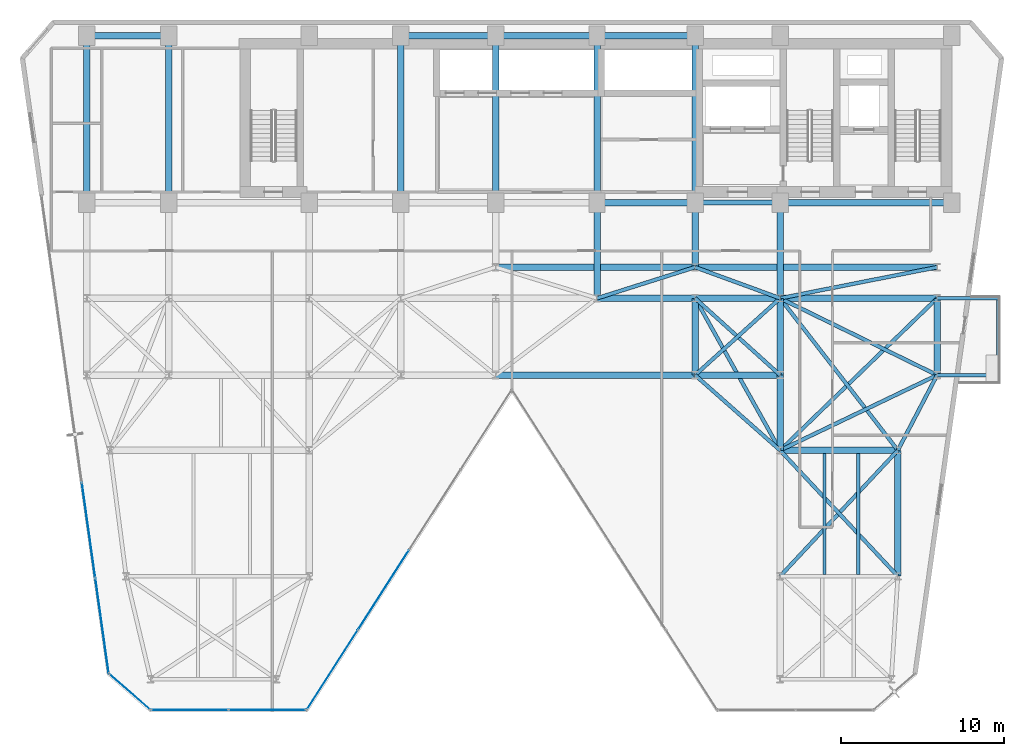
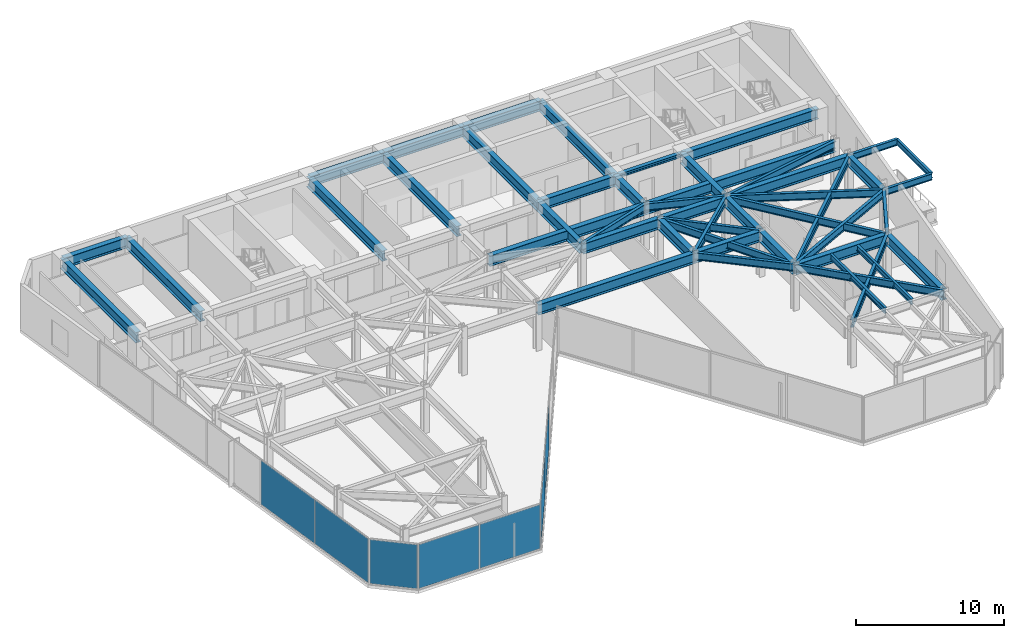
# One storey, part 20 of 26: 48 beams, 7 plates, 4 elements without a shape of their own.
"""IFC4 building model written with IfcOpenShell, lengths in metres."""

from ifc_helpers import new_model, si_unit, direction, frame, origin, origin_2d, place, context, subcontext, project, spatial, rectangle, i_section, extrude, material, layer, layer_set, material_profile, profile_set, type_object, element, aggregate, save


model = new_model("IFC4")

# Units and contexts
model_context = context("Model", 3, precision=1e-05, world=origin(), true_north=direction((0.0, 1.0)))
body_context = subcontext(model_context, "Body", "Model", "MODEL_VIEW")
ifc_project = project(units=[si_unit("LENGTHUNIT", "METRE"), si_unit("AREAUNIT", "SQUARE_METRE"), si_unit("VOLUMEUNIT", "CUBIC_METRE"), si_unit("PLANEANGLEUNIT", "RADIAN"), si_unit("MASSUNIT", "GRAM", prefix="KILO")], contexts=[model_context])

# Site, building, storey
site_placement = place(None, origin())
site = spatial("IfcSite", under=ifc_project, at=site_placement, CompositionType="ELEMENT")
building_placement = place(site_placement, origin())
building = spatial("IfcBuilding", under=site, at=building_placement, Name="Kravanh Interchange Tower", CompositionType="ELEMENT")
storey_placement = place(building_placement, frame((0.0, 0.0, 108.0)))
storey = spatial("IfcBuildingStorey", under=building, at=storey_placement, Name="L25", CompositionType="ELEMENT", Elevation=108.0)

# Beams
ifc_material_1 = material(Name="Structural Steel S355", Category="steel")
ifc_material_profile_1 = material_profile(ifc_material_1, i_section(OverallWidth=0.39990234375, OverallDepth=0.85595703125, WebThickness=0.018310546875, FlangeThickness=0.029296875, FilletRadius=0.02490234375, at=origin_2d()), Name="W33X201")
ifc_profile_set_1 = profile_set([ifc_material_profile_1], Name="Structural Steel S355")
beam_type_1 = type_object("IfcBeamType", Name="Floor Beam W33X201 Structural Steel S355", PredefinedType="BEAM", material=ifc_profile_set_1)
beam_1_placement = place(storey_placement, frame((66.5, 37.35009765625, 3.322021484375), z_axis=(-1.0, 0.0, 0.0), x_axis=(0.0, -1.0, 0.0)))
element("IfcBeam", 1, at=beam_1_placement, inside=storey, type_object=beam_type_1, Name="L25 Primary Floor Girder 5", PredefinedType="BEAM", context=body_context, shape_type="SweptSolid", body=[
    extrude(i_section(OverallWidth=0.39990234375, OverallDepth=0.85595703125, WebThickness=0.018310546875, FlangeThickness=0.029296875, FilletRadius=0.02490234375, at=origin_2d()), origin(), (0.0, 0.0, 1.0), 10.5),
])
beam_2_placement = place(storey_placement, frame((56.0, 37.35009765625, 3.322021484375), z_axis=(0.0, -1.0, 0.0), x_axis=(1.0, 0.0, 0.0)))
element("IfcBeam", 2, at=beam_2_placement, inside=storey, type_object=beam_type_1, Name="L25 Primary Floor Girder 7", PredefinedType="BEAM", context=body_context, shape_type="SweptSolid", body=[
    extrude(i_section(OverallWidth=0.39990234375, OverallDepth=0.85595703125, WebThickness=0.018310546875, FlangeThickness=0.029296875, FilletRadius=0.02490234375, at=origin_2d()), origin(), (0.0, 0.0, 1.0), 5.85009765625),
])
beam_3_placement = place(storey_placement, frame((50.800048828125, 47.550048828125, 3.322021484375), z_axis=(-1.0, 0.0, 0.0), x_axis=(0.0, -1.0, 0.0)))
element("IfcBeam", 3, at=beam_3_placement, inside=storey, type_object=beam_type_1, Name="L25 Primary Floor Girder 8", PredefinedType="BEAM", context=body_context, shape_type="SweptSolid", body=[
    extrude(i_section(OverallWidth=0.39990234375, OverallDepth=0.85595703125, WebThickness=0.018310546875, FlangeThickness=0.029296875, FilletRadius=0.02490234375, at=origin_2d()), origin(), (0.0, 0.0, 1.0), 6.0),
])
beam_4_placement = place(storey_placement, frame((50.800048828125, 47.550048828125, 3.322021484375), z_axis=(0.0, -1.0, 0.0), x_axis=(1.0, 0.0, 0.0)))
element("IfcBeam", 4, at=beam_4_placement, inside=storey, type_object=beam_type_1, Name="L25 Primary Floor Girder 9", PredefinedType="BEAM", context=body_context, shape_type="SweptSolid", body=[
    extrude(i_section(OverallWidth=0.39990234375, OverallDepth=0.85595703125, WebThickness=0.018310546875, FlangeThickness=0.029296875, FilletRadius=0.02490234375, at=origin_2d()), origin(), (0.0, 0.0, 1.0), 10.199951171875),
])
beam_5_placement = place(storey_placement, frame((50.800048828125, 37.35009765625, 3.322021484375), z_axis=(0.0, -1.0, 0.0), x_axis=(1.0, 0.0, 0.0)))
element("IfcBeam", 5, at=beam_5_placement, inside=storey, type_object=beam_type_1, Name="L25 Primary Floor Girder 10", PredefinedType="BEAM", context=body_context, shape_type="SweptSolid", body=[
    extrude(i_section(OverallWidth=0.39990234375, OverallDepth=0.85595703125, WebThickness=0.018310546875, FlangeThickness=0.029296875, FilletRadius=0.02490234375, at=origin_2d()), origin(), (0.0, 0.0, 1.0), 3.9501953125),
])
beam_6_placement = place(storey_placement, frame((50.800048828125, 37.35009765625, 3.322021484375), z_axis=(-1.0, 0.0, 0.0), x_axis=(0.0, -1.0, 0.0)))
element("IfcBeam", 6, at=beam_6_placement, inside=storey, type_object=beam_type_1, Name="L25 Primary Floor Girder 11", PredefinedType="BEAM", context=body_context, shape_type="SweptSolid", body=[
    extrude(i_section(OverallWidth=0.39990234375, OverallDepth=0.85595703125, WebThickness=0.018310546875, FlangeThickness=0.029296875, FilletRadius=0.02490234375, at=origin_2d()), origin(), (0.0, 0.0, 1.0), 6.0),
])
beam_7_placement = place(storey_placement, frame((44.800048828125, 37.35009765625, 3.322021484375), z_axis=(0.0, -1.0, 0.0), x_axis=(1.0, 0.0, 0.0)))
element("IfcBeam", 7, at=beam_7_placement, inside=storey, type_object=beam_type_1, Name="L25 Primary Floor Girder 12", PredefinedType="BEAM", context=body_context, shape_type="SweptSolid", body=[
    extrude(i_section(OverallWidth=0.39990234375, OverallDepth=0.85595703125, WebThickness=0.018310546875, FlangeThickness=0.029296875, FilletRadius=0.02490234375, at=origin_2d()), origin(), (0.0, 0.0, 1.0), 5.85009765625),
])
beam_8_placement = place(storey_placement, frame((44.800048828125, 37.35009765625, 3.322021484375), z_axis=(0.0, 1.0, 0.0), x_axis=(-1.0, 0.0, 0.0)))
element("IfcBeam", 8, at=beam_8_placement, inside=storey, type_object=beam_type_1, Name="L25 Primary Floor Girder 14", PredefinedType="BEAM", context=body_context, shape_type="SweptSolid", body=[
    extrude(i_section(OverallWidth=0.39990234375, OverallDepth=0.85595703125, WebThickness=0.018310546875, FlangeThickness=0.029296875, FilletRadius=0.02490234375, at=origin_2d()), origin(), (0.0, 0.0, 1.0), 10.199951171875),
])
beam_9_placement = place(storey_placement, frame((44.800048828125, 47.550048828125, 3.322021484375), z_axis=(-1.0, 0.0, 0.0), x_axis=(0.0, -1.0, 0.0)))
element("IfcBeam", 9, at=beam_9_placement, inside=storey, type_object=beam_type_1, Name="L25 Primary Floor Girder 15", PredefinedType="BEAM", context=body_context, shape_type="SweptSolid", body=[
    extrude(i_section(OverallWidth=0.39990234375, OverallDepth=0.85595703125, WebThickness=0.018310546875, FlangeThickness=0.029296875, FilletRadius=0.02490234375, at=origin_2d()), origin(), (0.0, 0.0, 1.0), 6.199951171875),
])
beam_10_placement = place(storey_placement, frame((38.60009765625, 37.35009765625, 3.322021484375), z_axis=(0.0, 1.0, 0.0), x_axis=(-1.0, 0.0, 0.0)))
element("IfcBeam", 10, at=beam_10_placement, inside=storey, type_object=beam_type_1, Name="L25 Primary Floor Girder 18", PredefinedType="BEAM", context=body_context, shape_type="SweptSolid", body=[
    extrude(i_section(OverallWidth=0.39990234375, OverallDepth=0.85595703125, WebThickness=0.018310546875, FlangeThickness=0.029296875, FilletRadius=0.02490234375, at=origin_2d()), origin(), (0.0, 0.0, 1.0), 10.199951171875),
])
beam_11_placement = place(storey_placement, frame((38.60009765625, 47.550048828125, 3.322021484375), z_axis=(-1.0, 0.0, 0.0), x_axis=(0.0, -1.0, 0.0)))
element("IfcBeam", 11, at=beam_11_placement, inside=storey, type_object=beam_type_1, Name="L25 Primary Floor Girder 19", PredefinedType="BEAM", context=body_context, shape_type="SweptSolid", body=[
    extrude(i_section(OverallWidth=0.39990234375, OverallDepth=0.85595703125, WebThickness=0.018310546875, FlangeThickness=0.029296875, FilletRadius=0.02490234375, at=origin_2d()), origin(), (0.0, 0.0, 1.0), 5.800048828125),
])
for number, where, z_axis, x_axis, name in (
    (12, (32.800048828125, 37.35009765625, 3.322021484375), (0.0, 1.0, 0.0), (-1.0, 0.0, 0.0), "L25 Primary Floor Girder 22"),
    (13, (18.60009765625, 37.35009765625, 3.322021484375), (0.0, 1.0, 0.0), (-1.0, 0.0, 0.0), "L25 Primary Floor Girder 30"),
):
    element("IfcBeam", number, at=place(storey_placement, frame(where, z_axis=z_axis, x_axis=x_axis)), inside=storey, type_object=beam_type_1, Name=name, PredefinedType="BEAM", context=body_context, shape_type="SweptSolid", body=[
        extrude(i_section(OverallWidth=0.39990234375, OverallDepth=0.85595703125, WebThickness=0.018310546875, FlangeThickness=0.029296875, FilletRadius=0.02490234375, at=origin_2d()), origin(), (0.0, 0.0, 1.0), 10.199951171875),
    ])
beam_12_placement = place(storey_placement, frame((18.60009765625, 47.550048828125, 3.322021484375), z_axis=(-1.0, 0.0, 0.0), x_axis=(0.0, -1.0, 0.0)))
element("IfcBeam", 14, at=beam_12_placement, inside=storey, type_object=beam_type_1, Name="L25 Primary Floor Girder 31", PredefinedType="BEAM", context=body_context, shape_type="SweptSolid", body=[
    extrude(i_section(OverallWidth=0.39990234375, OverallDepth=0.85595703125, WebThickness=0.018310546875, FlangeThickness=0.029296875, FilletRadius=0.02490234375, at=origin_2d()), origin(), (0.0, 0.0, 1.0), 5.0),
])
beam_13_placement = place(storey_placement, frame((13.60009765625, 37.35009765625, 3.322021484375), z_axis=(0.0, 1.0, 0.0), x_axis=(-1.0, 0.0, 0.0)))
element("IfcBeam", 15, at=beam_13_placement, inside=storey, type_object=beam_type_1, Name="L25 Primary Floor Girder 33", PredefinedType="BEAM", context=body_context, shape_type="SweptSolid", body=[
    extrude(i_section(OverallWidth=0.39990234375, OverallDepth=0.85595703125, WebThickness=0.018310546875, FlangeThickness=0.029296875, FilletRadius=0.02490234375, at=origin_2d()), origin(), (0.0, 0.0, 1.0), 10.199951171875),
])
beam_14_placement = place(storey_placement, frame((38.60009765625, 26.800048828125, 3.322021484375), z_axis=(1.0, 0.0, 0.0), x_axis=(0.0, 1.0, 0.0)))
element("IfcBeam", 16, at=beam_14_placement, inside=storey, type_object=beam_type_1, Name="L25 Primary Floor Girder 56", PredefinedType="BEAM", context=body_context, shape_type="SweptSolid", body=[
    extrude(i_section(OverallWidth=0.39990234375, OverallDepth=0.85595703125, WebThickness=0.018310546875, FlangeThickness=0.029296875, FilletRadius=0.02490234375, at=origin_2d()), origin(), (0.0, 0.0, 1.0), 12.199951171875),
])
beam_15_placement = place(storey_placement, frame((50.800048828125, 26.800048828125, 3.322021484375), z_axis=(0.0, 1.0, 0.0), x_axis=(-1.0, 0.0, 0.0)))
element("IfcBeam", 17, at=beam_15_placement, inside=storey, type_object=beam_type_1, Name="L25 Primary Floor Girder 57", PredefinedType="BEAM", context=body_context, shape_type="SweptSolid", body=[
    extrude(i_section(OverallWidth=0.39990234375, OverallDepth=0.85595703125, WebThickness=0.018310546875, FlangeThickness=0.029296875, FilletRadius=0.02490234375, at=origin_2d()), origin(), (0.0, 0.0, 1.0), 4.699951171875),
])
beam_16_placement = place(storey_placement, frame((50.800048828125, 26.800048828125, 3.322021484375), z_axis=(1.0, 0.0, 0.0), x_axis=(0.0, 1.0, 0.0)))
element("IfcBeam", 18, at=beam_16_placement, inside=storey, type_object=beam_type_1, Name="L25 Primary Floor Girder 58", PredefinedType="BEAM", context=body_context, shape_type="SweptSolid", body=[
    extrude(i_section(OverallWidth=0.39990234375, OverallDepth=0.85595703125, WebThickness=0.018310546875, FlangeThickness=0.029296875, FilletRadius=0.02490234375, at=origin_2d()), origin(), (0.0, 0.0, 1.0), 5.199951171875),
])
beam_17_placement = place(storey_placement, frame((56.0, 26.800048828125, 3.322021484375), z_axis=(0.0, -1.0, 0.0), x_axis=(1.0, 0.0, 0.0)))
element("IfcBeam", 19, at=beam_17_placement, inside=storey, type_object=beam_type_1, Name="L25 Primary Floor Girder 61", PredefinedType="BEAM", context=body_context, shape_type="SweptSolid", body=[
    extrude(i_section(OverallWidth=0.39990234375, OverallDepth=0.85595703125, WebThickness=0.018310546875, FlangeThickness=0.029296875, FilletRadius=0.02490234375, at=origin_2d()), origin(), (0.0, 0.0, 1.0), 4.60009765625),
])
for number, where, z_axis, x_axis, name in (
    (20, (56.0, 26.800048828125, 3.322021484375), (0.0, 1.0, 0.0), (-1.0, 0.0, 0.0), "L25 Primary Floor Girder 62"),
    (21, (65.60009765625, 26.800048828125, 3.322021484375), (0.0, 1.0, 0.0), (-1.0, 0.0, 0.0), "L25 Primary Floor Girder 65"),
):
    element("IfcBeam", number, at=place(storey_placement, frame(where, z_axis=z_axis, x_axis=x_axis)), inside=storey, type_object=beam_type_1, Name=name, PredefinedType="BEAM", context=body_context, shape_type="SweptSolid", body=[
        extrude(i_section(OverallWidth=0.39990234375, OverallDepth=0.85595703125, WebThickness=0.018310546875, FlangeThickness=0.029296875, FilletRadius=0.02490234375, at=origin_2d()), origin(), (0.0, 0.0, 1.0), 4.699951171875),
    ])
beam_18_placement = place(storey_placement, frame((44.800048828125, 31.5, 3.322021484375), z_axis=(1.0, 0.0, 0.0), x_axis=(0.0, 1.0, 0.0)))
element("IfcBeam", 22, at=beam_18_placement, inside=storey, type_object=beam_type_1, Name="L25 Primary Floor Girder 83", PredefinedType="BEAM", context=body_context, shape_type="SweptSolid", body=[
    extrude(i_section(OverallWidth=0.39990234375, OverallDepth=0.85595703125, WebThickness=0.018310546875, FlangeThickness=0.029296875, FilletRadius=0.02490234375, at=origin_2d()), origin(), (0.0, 0.0, 1.0), 6.0),
])
beam_19_placement = place(storey_placement, frame((50.800048828125, 31.5, 3.322021484375), z_axis=(1.0, 0.0, 0.0), x_axis=(0.0, 1.0, 0.0)))
element("IfcBeam", 23, at=beam_19_placement, inside=storey, type_object=beam_type_1, Name="L25 Primary Floor Girder 86", PredefinedType="BEAM", context=body_context, shape_type="SweptSolid", body=[
    extrude(i_section(OverallWidth=0.39990234375, OverallDepth=0.85595703125, WebThickness=0.018310546875, FlangeThickness=0.029296875, FilletRadius=0.02490234375, at=origin_2d()), origin(), (0.0, 0.0, 1.0), 5.199951171875),
])
beam_20_placement = place(storey_placement, frame((56.0, 31.5, 3.322021484375), z_axis=(1.0, 0.0, 0.0), x_axis=(0.0, 1.0, 0.0)))
element("IfcBeam", 24, at=beam_20_placement, inside=storey, type_object=beam_type_1, Name="L25 Primary Floor Girder 90", PredefinedType="BEAM", context=body_context, shape_type="SweptSolid", body=[
    extrude(i_section(OverallWidth=0.39990234375, OverallDepth=0.85595703125, WebThickness=0.018310546875, FlangeThickness=0.029296875, FilletRadius=0.02490234375, at=origin_2d()), origin(), (0.0, 0.0, 1.0), 9.60009765625),
])
beam_21_placement = place(storey_placement, frame((63.199951171875, 14.5, 3.322021484375), z_axis=(0.0, 1.0, 0.0), x_axis=(-1.0, 0.0, 0.0)))
element("IfcBeam", 25, at=beam_21_placement, inside=storey, type_object=beam_type_1, Name="L25 Primary Floor Girder 106", PredefinedType="BEAM", context=body_context, shape_type="SweptSolid", body=[
    extrude(i_section(OverallWidth=0.39990234375, OverallDepth=0.85595703125, WebThickness=0.018310546875, FlangeThickness=0.029296875, FilletRadius=0.02490234375, at=origin_2d()), origin(), (0.0, 0.0, 1.0), 7.699951171875),
])
beam_22_placement = place(storey_placement, frame((56.0, 22.199951171875, 3.322021484375), z_axis=(1.0, 0.0, 0.0), x_axis=(0.0, 1.0, 0.0)))
element("IfcBeam", 26, at=beam_22_placement, inside=storey, type_object=beam_type_1, Name="L25 Primary Floor Girder 109", PredefinedType="BEAM", context=body_context, shape_type="SweptSolid", body=[
    extrude(i_section(OverallWidth=0.39990234375, OverallDepth=0.85595703125, WebThickness=0.018310546875, FlangeThickness=0.029296875, FilletRadius=0.02490234375, at=origin_2d()), origin(), (0.0, 0.0, 1.0), 7.199951171875),
])
beam_23_placement = place(storey_placement, frame((38.60009765625, 33.39990234375, 3.322021484375), z_axis=(1.0, 0.0, 0.0), x_axis=(0.0, 1.0, 0.0)))
element("IfcBeam", 27, at=beam_23_placement, inside=storey, type_object=beam_type_1, Name="L25 Primary Floor Girder 111", PredefinedType="BEAM", context=body_context, shape_type="SweptSolid", body=[
    extrude(i_section(OverallWidth=0.39990234375, OverallDepth=0.85595703125, WebThickness=0.018310546875, FlangeThickness=0.029296875, FilletRadius=0.02490234375, at=origin_2d()), origin(), (0.0, 0.0, 1.0), 12.199951171875),
])
beam_24_placement = place(storey_placement, frame((50.800048828125, 33.39990234375, 3.322021484375), z_axis=(1.0, 0.0, 0.0), x_axis=(0.0, 1.0, 0.0)))
element("IfcBeam", 28, at=beam_24_placement, inside=storey, type_object=beam_type_1, Name="L25 Primary Floor Girder 112", PredefinedType="BEAM", context=body_context, shape_type="SweptSolid", body=[
    extrude(i_section(OverallWidth=0.39990234375, OverallDepth=0.85595703125, WebThickness=0.018310546875, FlangeThickness=0.029296875, FilletRadius=0.02490234375, at=origin_2d()), origin(), (0.0, 0.0, 1.0), 14.800048828125),
])
ifc_material_2 = material(Name="Structural Steel S355", Category="steel")
ifc_material_profile_2 = material_profile(ifc_material_2, i_section(OverallWidth=0.18994140625, OverallDepth=0.45703125, WebThickness=0.009033203125, FlangeThickness=0.014404296875, FilletRadius=0.01806640625, at=origin_2d()), Name="W18X50")
ifc_profile_set_2 = profile_set([ifc_material_profile_2], Name="Structural Steel S355")
beam_type_2 = type_object("IfcBeamType", Name="Floor Joist W18X50 Structural Steel S355", PredefinedType="JOIST", material=ifc_profile_set_2)
for number, where, z_axis, x_axis, name in (
    (29, (58.715087890625, 14.60888671875, 3.521484375), (0.0, 1.0, 0.0), (-1.0, 0.0, 0.0), "L25 Secondary Floor Joist 7"),
    (30, (60.780029296875, 14.60888671875, 3.521484375), (0.0, 1.0, 0.0), (-1.0, 0.0, 0.0), "L25 Secondary Floor Joist 8"),
):
    element("IfcBeam", number, at=place(storey_placement, frame(where, z_axis=z_axis, x_axis=x_axis)), inside=storey, type_object=beam_type_2, Name=name, PredefinedType="JOIST", context=body_context, shape_type="SweptSolid", body=[
        extrude(i_section(OverallWidth=0.18994140625, OverallDepth=0.45703125, WebThickness=0.009033203125, FlangeThickness=0.014404296875, FilletRadius=0.01806640625, at=origin_2d()), origin(), (0.0, 0.0, 1.0), 7.39599609375),
    ])
beam_25_placement = place(storey_placement, frame((69.330078125, 26.800048828125, 3.521484375), z_axis=(0.0, 1.0, 0.0), x_axis=(-1.0, 0.0, 0.0)))
element("IfcBeam", 31, at=beam_25_placement, inside=storey, type_object=beam_type_2, Name="L25 Balcony Edge Tie Beam E", PredefinedType="JOIST", context=body_context, shape_type="SweptSolid", body=[
    extrude(i_section(OverallWidth=0.18994140625, OverallDepth=0.45703125, WebThickness=0.009033203125, FlangeThickness=0.014404296875, FilletRadius=0.01806640625, at=origin_2d()), origin(), (0.0, 0.0, 1.0), 4.699951171875),
])
ifc_material_3 = material(Name="Structural Steel S355", Category="steel")
ifc_material_profile_3 = material_profile(ifc_material_3, i_section(OverallWidth=0.304931640625, OverallDepth=0.306884765625, WebThickness=0.010009765625, FlangeThickness=0.015380859375, FilletRadius=0.014892578125, at=origin_2d()), Name="W12X65")
ifc_profile_set_3 = profile_set([ifc_material_profile_3], Name="Structural Steel S355")
beam_type_3 = type_object("IfcBeamType", Name="Floor Lintel W12X65 Structural Steel S355", PredefinedType="LINTEL", material=ifc_profile_set_3)
beam_26_placement = place(storey_placement, frame((50.800048828125, 37.35009765625, 3.596435546875), z_axis=(1.0, 0.0, 0.0), x_axis=(0.0, 1.0, 0.0)))
element("IfcBeam", 32, at=beam_26_placement, inside=storey, type_object=beam_type_3, Name="L25 Core Coupling Lintel 1", PredefinedType="LINTEL", context=body_context, shape_type="SweptSolid", body=[
    extrude(i_section(OverallWidth=0.304931640625, OverallDepth=0.306884765625, WebThickness=0.010009765625, FlangeThickness=0.015380859375, FilletRadius=0.014892578125, at=origin_2d()), origin(), (0.0, 0.0, 1.0), 5.199951171875),
])
ifc_material_4 = material(Name="Structural Steel S355", Category="steel")
ifc_material_profile_4 = material_profile(ifc_material_4, i_section(OverallWidth=0.2099609375, OverallDepth=0.537109375, WebThickness=0.010986328125, FlangeThickness=0.017333984375, FilletRadius=0.02001953125, at=origin_2d()), Name="W21X68")
ifc_profile_set_4 = profile_set([ifc_material_profile_4], Name="Structural Steel S355")
beam_type_4 = type_object("IfcBeamType", Name="Floor Spandrel W21X68 Structural Steel S355", PredefinedType="SPANDREL", material=ifc_profile_set_4)
for number, where, z_axis, x_axis, name in (
    (33, (65.60009765625, 26.800048828125, 3.4814453125), (1.0, 0.0, 0.0), (0.0, 1.0, 0.0), "L25 Balcony Cantilever Outrigger E1"),
    (34, (65.60009765625, 31.5, 3.4814453125), (1.0, 0.0, 0.0), (0.0, 1.0, 0.0), "L25 Balcony Cantilever Outrigger E2"),
):
    element("IfcBeam", number, at=place(storey_placement, frame(where, z_axis=z_axis, x_axis=x_axis)), inside=storey, type_object=beam_type_4, Name=name, PredefinedType="SPANDREL", context=body_context, shape_type="SweptSolid", body=[
        extrude(i_section(OverallWidth=0.2099609375, OverallDepth=0.537109375, WebThickness=0.010986328125, FlangeThickness=0.017333984375, FilletRadius=0.02001953125, at=origin_2d()), origin(), (0.0, 0.0, 1.0), 3.72998046875),
    ])
ifc_material_5 = material(Name="Structural Steel S355", Category="steel")
ifc_material_profile_5 = material_profile(ifc_material_5, i_section(OverallWidth=0.22802734375, OverallDepth=0.60791015625, WebThickness=0.01123046875, FlangeThickness=0.017333984375, FilletRadius=0.02197265625, at=origin_2d()), Name="W24X76")
ifc_profile_set_5 = profile_set([ifc_material_profile_5], Name="Structural Steel S355")
beam_type_5 = type_object("IfcBeamType", Name="Floor Spandrel W24X76 Structural Steel S355", PredefinedType="SPANDREL", material=ifc_profile_set_5)
beam_27_placement = place(storey_placement, frame((50.800048828125, 26.800048828125, 3.446044921875), z_axis=(0.74898649432, -0.662585263439, 0.0), x_axis=(0.662585263439, 0.74898649432, 0.0)))
element("IfcBeam", 35, at=beam_27_placement, inside=storey, type_object=beam_type_5, Name="L25 Perimeter Spandrel 59", PredefinedType="SPANDREL", context=body_context, shape_type="SweptSolid", body=[
    extrude(i_section(OverallWidth=0.22802734375, OverallDepth=0.60791015625, WebThickness=0.01123046875, FlangeThickness=0.017333984375, FilletRadius=0.02197265625, at=origin_2d()), origin(), (0.0, 0.0, 1.0), 6.942626953125),
])
for number, where, z_axis, x_axis, name in (
    (36, (50.800048828125, 26.800048828125, 3.446044921875), (0.741874009795, 0.670539300557, 0.0), (-0.670539300557, 0.741874009795, 0.0), "L25 Perimeter Spandrel 60"),
    (37, (56.0, 26.800048828125, 3.446044921875), (-0.741874009795, 0.670539300557, 0.0), (-0.670539300557, -0.741874009795, 0.0), "L25 Perimeter Spandrel 63"),
):
    element("IfcBeam", number, at=place(storey_placement, frame(where, z_axis=z_axis, x_axis=x_axis)), inside=storey, type_object=beam_type_5, Name=name, PredefinedType="SPANDREL", context=body_context, shape_type="SweptSolid", body=[
        extrude(i_section(OverallWidth=0.22802734375, OverallDepth=0.60791015625, WebThickness=0.01123046875, FlangeThickness=0.017333984375, FilletRadius=0.02197265625, at=origin_2d()), origin(), (0.0, 0.0, 1.0), 7.00927734375),
    ])
beam_28_placement = place(storey_placement, frame((65.60009765625, 26.800048828125, 3.446044921875), z_axis=(-0.462580479178, -0.886577295155, 0.0), x_axis=(0.886577295155, -0.462580479178, 0.0)))
element("IfcBeam", 38, at=beam_28_placement, inside=storey, type_object=beam_type_5, Name="L25 Perimeter Spandrel 66", PredefinedType="SPANDREL", context=body_context, shape_type="SweptSolid", body=[
    extrude(i_section(OverallWidth=0.22802734375, OverallDepth=0.60791015625, WebThickness=0.01123046875, FlangeThickness=0.017333984375, FilletRadius=0.02197265625, at=origin_2d()), origin(), (0.0, 0.0, 1.0), 5.188720703125),
])
beam_29_placement = place(storey_placement, frame((65.60009765625, 26.800048828125, 3.446044921875), z_axis=(-0.901814166789, -0.432124066188, 0.0), x_axis=(0.432124066188, -0.901814166789, 0.0)))
element("IfcBeam", 39, at=beam_29_placement, inside=storey, type_object=beam_type_5, Name="L25 Perimeter Spandrel 67", PredefinedType="SPANDREL", context=body_context, shape_type="SweptSolid", body=[
    extrude(i_section(OverallWidth=0.22802734375, OverallDepth=0.60791015625, WebThickness=0.01123046875, FlangeThickness=0.017333984375, FilletRadius=0.02197265625, at=origin_2d()), origin(), (0.0, 0.0, 1.0), 10.645263671875),
])
beam_30_placement = place(storey_placement, frame((65.60009765625, 26.800048828125, 3.446044921875), z_axis=(-0.898141688387, 0.439706160499, 0.0), x_axis=(-0.439706160499, -0.898141688387, 0.0)))
element("IfcBeam", 40, at=beam_30_placement, inside=storey, type_object=beam_type_5, Name="L25 Perimeter Spandrel 68", PredefinedType="SPANDREL", context=body_context, shape_type="SweptSolid", body=[
    extrude(i_section(OverallWidth=0.22802734375, OverallDepth=0.60791015625, WebThickness=0.01123046875, FlangeThickness=0.017333984375, FilletRadius=0.02197265625, at=origin_2d()), origin(), (0.0, 0.0, 1.0), 10.68896484375),
])
beam_31_placement = place(storey_placement, frame((44.800048828125, 31.5, 3.446044921875), z_axis=(0.953346691051, 0.301877602122, 0.0), x_axis=(-0.301877602122, 0.953346691051, 0.0)))
element("IfcBeam", 41, at=beam_31_placement, inside=storey, type_object=beam_type_5, Name="L25 Perimeter Spandrel 84", PredefinedType="SPANDREL", context=body_context, shape_type="SweptSolid", body=[
    extrude(i_section(OverallWidth=0.22802734375, OverallDepth=0.60791015625, WebThickness=0.01123046875, FlangeThickness=0.017333984375, FilletRadius=0.02197265625, at=origin_2d()), origin(), (0.0, 0.0, 1.0), 6.293701171875),
])
beam_32_placement = place(storey_placement, frame((50.800048828125, 31.5, 3.446044921875), z_axis=(0.488026248114, -0.872828952975, 0.0), x_axis=(0.872828952975, 0.488026248114, 0.0)))
element("IfcBeam", 42, at=beam_32_placement, inside=storey, type_object=beam_type_5, Name="L25 Perimeter Spandrel 87", PredefinedType="SPANDREL", context=body_context, shape_type="SweptSolid", body=[
    extrude(i_section(OverallWidth=0.22802734375, OverallDepth=0.60791015625, WebThickness=0.01123046875, FlangeThickness=0.017333984375, FilletRadius=0.02197265625, at=origin_2d()), origin(), (0.0, 0.0, 1.0), 10.655029296875),
])
beam_33_placement = place(storey_placement, frame((56.0, 31.5, 3.446044921875), z_axis=(-0.93926957103, 0.343180233896, 0.0), x_axis=(-0.343180233896, -0.93926957103, 0.0)))
element("IfcBeam", 43, at=beam_33_placement, inside=storey, type_object=beam_type_5, Name="L25 Perimeter Spandrel 89", PredefinedType="SPANDREL", context=body_context, shape_type="SweptSolid", body=[
    extrude(i_section(OverallWidth=0.22802734375, OverallDepth=0.60791015625, WebThickness=0.01123046875, FlangeThickness=0.017333984375, FilletRadius=0.02197265625, at=origin_2d()), origin(), (0.0, 0.0, 1.0), 5.5361328125),
])
beam_34_placement = place(storey_placement, frame((56.0, 31.5, 3.446044921875), z_axis=(0.980974000807, 0.194139150457, 0.0), x_axis=(-0.194139150457, 0.980974000807, 0.0)))
element("IfcBeam", 44, at=beam_34_placement, inside=storey, type_object=beam_type_5, Name="L25 Perimeter Spandrel 91", PredefinedType="SPANDREL", context=body_context, shape_type="SweptSolid", body=[
    extrude(i_section(OverallWidth=0.22802734375, OverallDepth=0.60791015625, WebThickness=0.01123046875, FlangeThickness=0.017333984375, FilletRadius=0.02197265625, at=origin_2d()), origin(), (0.0, 0.0, 1.0), 9.786376953125),
])
beam_35_placement = place(storey_placement, frame((56.0, 31.5, 3.446044921875), z_axis=(0.612168587637, -0.790727273028, 0.0), x_axis=(0.790727273028, 0.612168587637, 0.0)))
element("IfcBeam", 45, at=beam_35_placement, inside=storey, type_object=beam_type_5, Name="L25 Perimeter Spandrel 92", PredefinedType="SPANDREL", context=body_context, shape_type="SweptSolid", body=[
    extrude(i_section(OverallWidth=0.22802734375, OverallDepth=0.60791015625, WebThickness=0.01123046875, FlangeThickness=0.017333984375, FilletRadius=0.02197265625, at=origin_2d()), origin(), (0.0, 0.0, 1.0), 11.761474609375),
])
beam_36_placement = place(storey_placement, frame((65.60009765625, 31.5, 3.446044921875), z_axis=(-0.718241934329, -0.695793449072, 0.0), x_axis=(0.695793449072, -0.718241934329, 0.0)))
element("IfcBeam", 46, at=beam_36_placement, inside=storey, type_object=beam_type_5, Name="L25 Perimeter Spandrel 94", PredefinedType="SPANDREL", context=body_context, shape_type="SweptSolid", body=[
    extrude(i_section(OverallWidth=0.22802734375, OverallDepth=0.60791015625, WebThickness=0.01123046875, FlangeThickness=0.017333984375, FilletRadius=0.02197265625, at=origin_2d()), origin(), (0.0, 0.0, 1.0), 13.3662109375),
])
for number, where, z_axis, x_axis, name in (
    (47, (56.0, 14.5, 3.446044921875), (0.682993762113, 0.73042420614, 0.0), (-0.73042420614, 0.682993762113, 0.0), "L25 Perimeter Spandrel 105"),
    (48, (63.199951171875, 14.5, 3.446044921875), (-0.682993762113, 0.73042420614, 0.0), (-0.73042420614, -0.682993762113, 0.0), "L25 Perimeter Spandrel 107"),
):
    element("IfcBeam", number, at=place(storey_placement, frame(where, z_axis=z_axis, x_axis=x_axis)), inside=storey, type_object=beam_type_5, Name=name, PredefinedType="SPANDREL", context=body_context, shape_type="SweptSolid", body=[
        extrude(i_section(OverallWidth=0.22802734375, OverallDepth=0.60791015625, WebThickness=0.01123046875, FlangeThickness=0.017333984375, FilletRadius=0.02197265625, at=origin_2d()), origin(), (0.0, 0.0, 1.0), 10.541748046875),
    ])

# Curtain wall, plates
ifc_material_6 = material(Name="Anodised Bronze Aluminium", Category="aluminium")
ifc_layer_1 = layer(ifc_material_6, 0.179931640625)
ifc_layer_set_1 = layer_set([ifc_layer_1], Name="Unitised Curtain Wall System CW-Z2 Mid Office")
curtain_wall_type = type_object("IfcCurtainWallType", Name="Unitised Curtain Wall System CW-Z2 Mid Office", PredefinedType="NOTDEFINED", material=ifc_layer_set_1)
curtain_wall_1_placement = place(storey_placement, origin())
curtain_wall_1 = element("IfcCurtainWall", 49, at=curtain_wall_1_placement, inside=storey, type_object=curtain_wall_type, Name="L25 Unitised Curtain Wall CW-L25-01", PredefinedType="NOTDEFINED")
ifc_material_7 = material(Name="Low-E Laminated Architectural Glass", Category="glass")
ifc_layer_2 = layer(ifc_material_7, 0.02587890625)
ifc_layer_set_2 = layer_set([ifc_layer_2], Name="Solar-Control Double Glazing 26mm")
plate_type = type_object("IfcPlateType", Name="Solar-Control Double Glazing 26mm", PredefinedType="CURTAIN_PANEL", material=ifc_layer_set_2)
plate_1_placement = place(storey_placement, frame((14.524169921875, 11.479736328125, 0.06005859375), z_axis=(0.0, 0.0, 1.0), x_axis=(-0.13917285118, 0.990268103846, 0.0)))
plate_1 = element("IfcPlate", 50, at=plate_1_placement, type_object=plate_type, Name="CW-Z2 panel 1.1", PredefinedType="CURTAIN_PANEL", context=body_context, shape_type="SweptSolid", body=[
    extrude(rectangle(XDim=5.81982421875, YDim=0.02587890625, at=origin_2d()), origin(), (0.0, 0.0, 1.0), 3.6298828125),
])
plate_2_placement = place(storey_placement, frame((13.70361328125, 17.317138671875, 0.06005859375), z_axis=(0.0, 0.0, 1.0), x_axis=(-0.13917285118, 0.990268103846, 0.0)))
plate_2 = element("IfcPlate", 51, at=plate_2_placement, type_object=plate_type, Name="CW-Z2 panel 2.1", PredefinedType="CURTAIN_PANEL", context=body_context, shape_type="SweptSolid", body=[
    extrude(rectangle(XDim=5.849853515625, YDim=0.02587890625, at=origin_2d()), origin(), (0.0, 0.0, 1.0), 3.6298828125),
])
aggregate(curtain_wall_1, [plate_1, plate_2])

curtain_wall_2_placement = place(storey_placement, origin())
curtain_wall_2 = element("IfcCurtainWall", 52, at=curtain_wall_2_placement, inside=storey, type_object=curtain_wall_type, Name="L25 Unitised Curtain Wall CW-L25-05", PredefinedType="NOTDEFINED")
plate_3_placement = place(storey_placement, frame((31.74658203125, 13.6708984375, 0.06005859375), z_axis=(0.0, 0.0, 1.0), x_axis=(-0.539664865919, -0.841879939476, 0.0)))
plate_3 = element("IfcPlate", 53, at=plate_3_placement, type_object=plate_type, Name="CW-Z2 panel 3.1", PredefinedType="CURTAIN_PANEL", context=body_context, shape_type="SweptSolid", body=[
    extrude(rectangle(XDim=5.760986328125, YDim=0.02587890625, at=origin_2d()), origin(), (0.0, 0.0, 1.0), 3.6298828125),
])
plate_4_placement = place(storey_placement, frame((28.61328125, 8.782958984375, 0.06005859375), z_axis=(0.0, 0.0, 1.0), x_axis=(-0.539664865919, -0.841879939476, 0.0)))
plate_4 = element("IfcPlate", 54, at=plate_4_placement, type_object=plate_type, Name="CW-Z2 panel 4.1", PredefinedType="CURTAIN_PANEL", context=body_context, shape_type="SweptSolid", body=[
    extrude(rectangle(XDim=5.73095703125, YDim=0.02587890625, at=origin_2d()), origin(), (0.0, 0.0, 1.0), 3.6298828125),
])
aggregate(curtain_wall_2, [plate_3, plate_4])

curtain_wall_3_placement = place(storey_placement, origin())
curtain_wall_3 = element("IfcCurtainWall", 55, at=curtain_wall_3_placement, inside=storey, type_object=curtain_wall_type, Name="L25 Unitised Curtain Wall CW-L25-06", PredefinedType="NOTDEFINED")
plate_5_placement = place(storey_placement, frame((24.63330078125, 6.320068359375, 0.06005859375), z_axis=(0.0, 0.0, 1.0), x_axis=(-1.0, 0.0, 0.0)))
plate_5 = element("IfcPlate", 56, at=plate_5_placement, type_object=plate_type, Name="CW-Z2 panel 1.1", PredefinedType="CURTAIN_PANEL", context=body_context, shape_type="SweptSolid", body=[
    extrude(rectangle(XDim=4.682373046875, YDim=0.02587890625, at=origin_2d()), origin(), (0.0, 0.0, 1.0), 3.6298828125),
])
plate_6_placement = place(storey_placement, frame((19.890869140625, 6.320068359375, 0.06005859375), z_axis=(0.0, 0.0, 1.0), x_axis=(-1.0, 0.0, 0.0)))
plate_6 = element("IfcPlate", 57, at=plate_6_placement, type_object=plate_type, Name="CW-Z2 panel 2.1", PredefinedType="CURTAIN_PANEL", context=body_context, shape_type="SweptSolid", body=[
    extrude(rectangle(XDim=4.682373046875, YDim=0.02587890625, at=origin_2d()), origin(), (0.0, 0.0, 1.0), 3.6298828125),
])
aggregate(curtain_wall_3, [plate_5, plate_6])

# Curtain wall, plate
curtain_wall_4_placement = place(storey_placement, origin())
curtain_wall_4 = element("IfcCurtainWall", 58, at=curtain_wall_4_placement, inside=storey, type_object=curtain_wall_type, Name="L25 Unitised Curtain Wall CW-L25-07", PredefinedType="NOTDEFINED")
plate_7_placement = place(storey_placement, frame((16.213623046875, 7.429443359375, 0.06005859375), z_axis=(0.0, 0.0, 1.0), x_axis=(-0.754719458103, 0.656047665617, 0.0)))
plate_7 = element("IfcPlate", 59, at=plate_7_placement, type_object=plate_type, Name="CW-Z2 panel 1.1", PredefinedType="CURTAIN_PANEL", context=body_context, shape_type="SweptSolid", body=[
    extrude(rectangle(XDim=3.261962890625, YDim=0.02587890625, at=origin_2d()), origin(), (0.0, 0.0, 1.0), 3.6298828125),
])
aggregate(curtain_wall_4, [plate_7])

save(model, "model.ifc")
